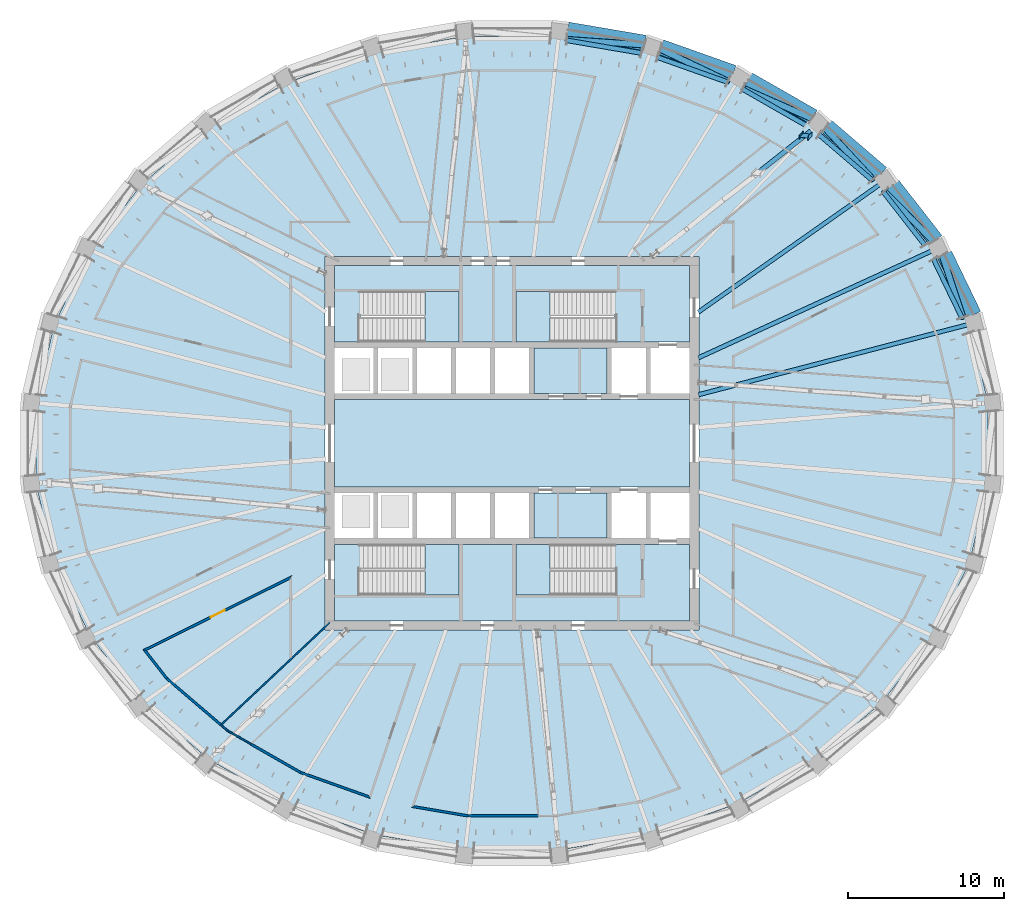
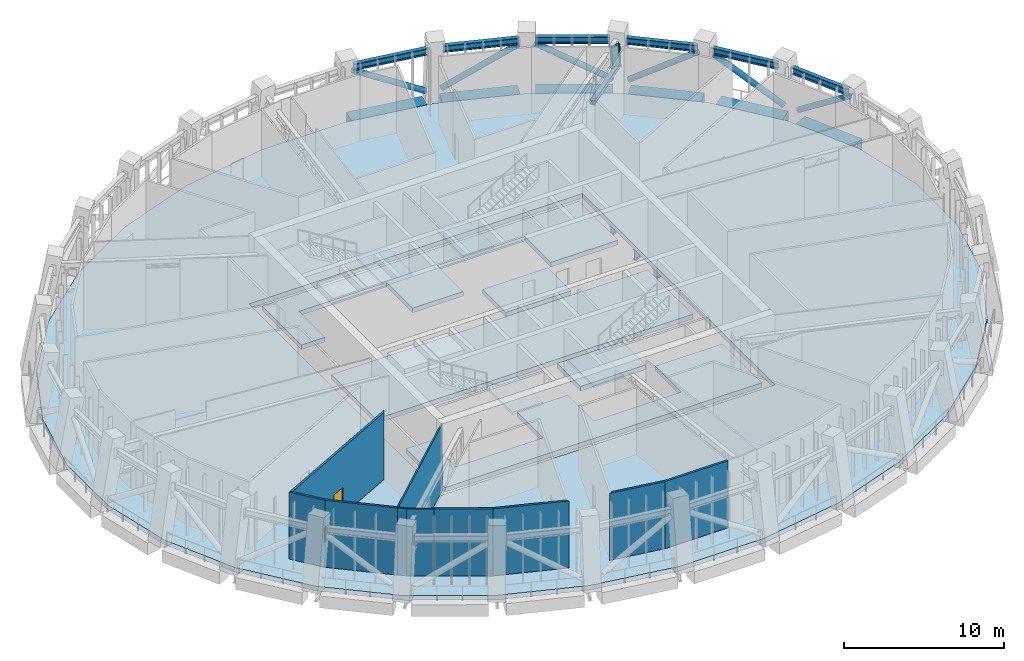
# One storey, part 6 of 20: 14 members, 10 slabs, 10 walls, 9 beams, 1 door, 1 opening, 4 elements without a shape of their own.
"""IFC4 building model written with IfcOpenShell, lengths in metres."""

from ifc_helpers import new_model, si_unit, direction, frame, frame_2d, origin, origin_2d, place, context, subcontext, project, spatial, polyline, rectangle, hollow_circle, i_section, outline, extrude, material, layer, layer_set, material_profile, profile_set, type_object, element, fill, aggregate, save


model = new_model("IFC4")

# Units and contexts
model_context = context("Model", 3, precision=1e-05, world=origin(), true_north=direction((0.0, 1.0)))
body_context = subcontext(model_context, "Body", "Model", "MODEL_VIEW")
ifc_project = project(units=[si_unit("LENGTHUNIT", "METRE"), si_unit("AREAUNIT", "SQUARE_METRE"), si_unit("VOLUMEUNIT", "CUBIC_METRE"), si_unit("PLANEANGLEUNIT", "RADIAN"), si_unit("MASSUNIT", "GRAM", prefix="KILO")], contexts=[model_context])

# Site, building, storey
site_placement = place(None, origin())
site = spatial("IfcSite", under=ifc_project, at=site_placement, CompositionType="ELEMENT")
building_placement = place(site_placement, origin())
building = spatial("IfcBuilding", under=site, at=building_placement, Name="Halqa Exchange Tower", CompositionType="ELEMENT")
storey_placement = place(building_placement, frame((0.0, 0.0, 250.89990234375)))
storey = spatial("IfcBuildingStorey", under=building, at=storey_placement, Name="L58", CompositionType="ELEMENT", Elevation=250.89990234375)

# Members
ifc_material_1 = material(Name="Steel S355", Category="steel")
ifc_material_profile_1 = material_profile(ifc_material_1, i_section(OverallWidth=0.300048828125, OverallDepth=0.5, WebThickness=0.014404296875, FlangeThickness=0.028076171875, FilletRadius=0.027099609375, at=origin_2d()), Name="HEB 500")
ifc_profile_set_1 = profile_set([ifc_material_profile_1], Name="Steel S355")
member_type_1 = type_object("IfcMemberType", Name="Belt truss chord HEB 500", PredefinedType="CHORD", material=ifc_profile_set_1)
member_1_placement = place(storey_placement, frame((28.884765625, 8.04296875, 4.25), z_axis=(-0.4350908165, 0.90038657331, 0.0), x_axis=(-0.90038657331, -0.4350908165, 0.0)))
element("IfcMember", 1, at=member_1_placement, inside=storey, type_object=member_type_1, Name="Belt chord 2", PredefinedType="CHORD", context=body_context, shape_type="SweptSolid", body=[
    extrude(i_section(OverallWidth=0.300048828125, OverallDepth=0.5, WebThickness=0.014404296875, FlangeThickness=0.028076171875, FilletRadius=0.027099609375, at=origin_2d()), origin(), (0.0, 0.0, 1.0), 4.195068359375),
])
member_2_placement = place(storey_placement, frame((26.5087890625, 12.706298828125, 4.25), z_axis=(-0.61482050044, 0.78866707313, 0.0), x_axis=(-0.78866707313, -0.61482050044, 0.0)))
element("IfcMember", 2, at=member_2_placement, inside=storey, type_object=member_type_1, Name="Belt chord 3", PredefinedType="CHORD", context=body_context, shape_type="SweptSolid", body=[
    extrude(i_section(OverallWidth=0.300048828125, OverallDepth=0.5, WebThickness=0.014404296875, FlangeThickness=0.028076171875, FilletRadius=0.027099609375, at=origin_2d()), origin(), (0.0, 0.0, 1.0), 4.33935546875),
])
member_3_placement = place(storey_placement, frame((23.118896484375, 16.885009765625, 4.25), z_axis=(-0.759271904272, 0.650773520807, 0.0), x_axis=(-0.650773520807, -0.759271904272, 0.0)))
element("IfcMember", 3, at=member_3_placement, inside=storey, type_object=member_type_1, Name="Belt chord 4", PredefinedType="CHORD", context=body_context, shape_type="SweptSolid", body=[
    extrude(i_section(OverallWidth=0.300048828125, OverallDepth=0.5, WebThickness=0.014404296875, FlangeThickness=0.028076171875, FilletRadius=0.027099609375, at=origin_2d()), origin(), (0.0, 0.0, 1.0), 4.5048828125),
])
member_4_placement = place(storey_placement, frame((18.845703125, 20.41845703125, 4.25), z_axis=(-0.867756652631, 0.496989327666, 0.0), x_axis=(-0.496989327666, -0.867756652631, 0.0)))
element("IfcMember", 4, at=member_4_placement, inside=storey, type_object=member_type_1, Name="Belt chord 5", PredefinedType="CHORD", context=body_context, shape_type="SweptSolid", body=[
    extrude(i_section(OverallWidth=0.300048828125, OverallDepth=0.5, WebThickness=0.014404296875, FlangeThickness=0.028076171875, FilletRadius=0.027099609375, at=origin_2d()), origin(), (0.0, 0.0, 1.0), 4.667236328125),
])
member_5_placement = place(storey_placement, frame((13.8466796875, 23.173828125, 4.25), z_axis=(-0.942372371925, 0.334565856944, 0.0), x_axis=(-0.334565856944, -0.942372371925, 0.0)))
element("IfcMember", 5, at=member_5_placement, inside=storey, type_object=member_type_1, Name="Belt chord 6", PredefinedType="CHORD", context=body_context, shape_type="SweptSolid", body=[
    extrude(i_section(OverallWidth=0.300048828125, OverallDepth=0.5, WebThickness=0.014404296875, FlangeThickness=0.028076171875, FilletRadius=0.027099609375, at=origin_2d()), origin(), (0.0, 0.0, 1.0), 4.797119140625),
])
member_6_placement = place(storey_placement, frame((8.314453125, 25.04248046875, 4.25), z_axis=(-0.985775224511, 0.168069053487, 0.0), x_axis=(-0.168069053487, -0.985775224511, 0.0)))
element("IfcMember", 6, at=member_6_placement, inside=storey, type_object=member_type_1, Name="Belt chord 7", PredefinedType="CHORD", context=body_context, shape_type="SweptSolid", body=[
    extrude(i_section(OverallWidth=0.300048828125, OverallDepth=0.5, WebThickness=0.014404296875, FlangeThickness=0.028076171875, FilletRadius=0.027099609375, at=origin_2d()), origin(), (0.0, 0.0, 1.0), 4.88525390625),
])
ifc_material_profile_2 = material_profile(ifc_material_1, hollow_circle(Radius=0.203125, WallThickness=0.02490234375, at=origin_2d()), Name="CHS 406.4x25")
ifc_profile_set_2 = profile_set([ifc_material_profile_2], Name="Steel S355")
member_type_2 = type_object("IfcMemberType", Name="Belt truss diagonal CHS 406.4x25", PredefinedType="BRACE", material=ifc_profile_set_2)
member_7_placement = place(storey_placement, frame((28.9482421875, 8.064453125, 3.87939453125), z_axis=(-0.25799046878, 0.773121821919, -0.579416574229), x_axis=(-0.948579007058, -0.31654046719, 0.0)))
element("IfcMember", 7, at=member_7_placement, inside=storey, type_object=member_type_2, Name="Belt diagonal 2", PredefinedType="BRACE", context=body_context, shape_type="SweptSolid", body=[
    extrude(hollow_circle(Radius=0.203125, WallThickness=0.02490234375, at=origin_2d()), origin(), (0.0, 0.0, 1.0), 5.172607421875),
])
member_8_placement = place(storey_placement, frame((27.0673828125, 12.953857421875, 0.859619140625), z_axis=(-0.583758108215, 0.590249781325, 0.557522794815), x_axis=(-0.711005856478, -0.703186086363, 0.0)))
element("IfcMember", 8, at=member_8_placement, inside=storey, type_object=member_type_2, Name="Belt diagonal 3", PredefinedType="BRACE", context=body_context, shape_type="SweptSolid", body=[
    extrude(hollow_circle(Radius=0.203125, WallThickness=0.02490234375, at=origin_2d()), origin(), (0.0, 0.0, 1.0), 5.453125),
])
member_9_placement = place(storey_placement, frame((23.163330078125, 16.925537109375, 3.898193359375), z_axis=(-0.563415694904, 0.607920724662, -0.559459692259), x_axis=(-0.733444146375, -0.679749721698, 0.0)))
element("IfcMember", 9, at=member_9_placement, inside=storey, type_object=member_type_2, Name="Belt diagonal 4", PredefinedType="BRACE", context=body_context, shape_type="SweptSolid", body=[
    extrude(hollow_circle(Radius=0.203125, WallThickness=0.02490234375, at=origin_2d()), origin(), (0.0, 0.0, 1.0), 5.430908203125),
])
member_10_placement = place(storey_placement, frame((19.253173828125, 20.8330078125, 0.8388671875), z_axis=(-0.772303546077, 0.34041068246, 0.536346716205), x_axis=(-0.403331268283, -0.915054035577, 0.0)))
element("IfcMember", 10, at=member_10_placement, inside=storey, type_object=member_type_2, Name="Belt diagonal 5", PredefinedType="BRACE", context=body_context, shape_type="SweptSolid", body=[
    extrude(hollow_circle(Radius=0.203125, WallThickness=0.02490234375, at=origin_2d()), origin(), (0.0, 0.0, 1.0), 5.740478515625),
])
member_11_placement = place(storey_placement, frame((13.869384765625, 23.22265625, 3.91650390625), z_axis=(-0.761266950959, 0.362284552334, -0.537794135815), x_axis=(-0.429717450535, -0.902963406072, 0.0)))
element("IfcMember", 11, at=member_11_placement, inside=storey, type_object=member_type_2, Name="Belt diagonal 6", PredefinedType="BRACE", context=body_context, shape_type="SweptSolid", body=[
    extrude(hollow_circle(Radius=0.203125, WallThickness=0.02490234375, at=origin_2d()), origin(), (0.0, 0.0, 1.0), 5.721435546875),
])
member_12_placement = place(storey_placement, frame((8.503662109375, 25.5615234375, 0.828125), z_axis=(-0.848471118309, 0.059945203271, 0.525835843206), x_axis=(-0.070475176163, -0.997513533515, 0.0)))
element("IfcMember", 12, at=member_12_placement, inside=storey, type_object=member_type_2, Name="Belt diagonal 7", PredefinedType="BRACE", context=body_context, shape_type="SweptSolid", body=[
    extrude(hollow_circle(Radius=0.203125, WallThickness=0.02490234375, at=origin_2d()), origin(), (0.0, 0.0, 1.0), 5.893310546875),
])

# Beams
ifc_material_profile_3 = material_profile(ifc_material_1, i_section(OverallWidth=0.264892578125, OverallDepth=0.7529296875, WebThickness=0.01318359375, FlangeThickness=0.01708984375, FilletRadius=0.01708984375, at=origin_2d()), Name="IPE 750x147")
ifc_profile_set_3 = profile_set([ifc_material_profile_3], Name="Steel S355")
beam_type_1 = type_object("IfcBeamType", Name="Floor beam IPE 750x147", PredefinedType="BEAM", material=ifc_profile_set_3)
beam_1_placement = place(storey_placement, frame((11.97216796875, 8.421630859375, -0.726318359375), z_axis=(0.817908068869, 0.575348929676, 0.0), x_axis=(-0.575348929676, 0.817908068869, 0.0)))
element("IfcBeam", 13, at=beam_1_placement, inside=storey, type_object=beam_type_1, Name="Radial beam 4", PredefinedType="BEAM", context=body_context, shape_type="SweptSolid", body=[
    extrude(i_section(OverallWidth=0.264892578125, OverallDepth=0.7529296875, WebThickness=0.01318359375, FlangeThickness=0.01708984375, FilletRadius=0.01708984375, at=origin_2d()), origin(), (0.0, 0.0, 1.0), 14.48388671875),
])
ifc_material_profile_4 = material_profile(ifc_material_1, i_section(OverallWidth=0.26806640625, OverallDepth=0.77001953125, WebThickness=0.015625, FlangeThickness=0.025390625, FilletRadius=0.01708984375, at=origin_2d()), Name="IPE 750x196")
ifc_profile_set_4 = profile_set([ifc_material_profile_4], Name="Steel S355")
beam_type_2 = type_object("IfcBeamType", Name="Floor beam IPE 750x196", PredefinedType="BEAM", material=ifc_profile_set_4)
beam_2_placement = place(storey_placement, frame((11.97119140625, 3.112548828125, -0.73486328125), z_axis=(0.967817321114, 0.251653795821, 0.0), x_axis=(-0.251653795821, 0.967817321114, 0.0)))
element("IfcBeam", 14, at=beam_2_placement, inside=storey, type_object=beam_type_2, Name="Radial beam 2", PredefinedType="BEAM", context=body_context, shape_type="SweptSolid", body=[
    extrude(i_section(OverallWidth=0.26806640625, OverallDepth=0.77001953125, WebThickness=0.015625, FlangeThickness=0.025390625, FilletRadius=0.01708984375, at=origin_2d()), origin(), (0.0, 0.0, 1.0), 18.116455078125),
])
beam_3_placement = place(storey_placement, frame((11.97119140625, 5.484619140625, -0.73486328125), z_axis=(0.909127215355, 0.41651855457, 0.0), x_axis=(-0.41651855457, 0.909127215355, 0.0)))
element("IfcBeam", 15, at=beam_3_placement, inside=storey, type_object=beam_type_2, Name="Radial beam 3", PredefinedType="BEAM", context=body_context, shape_type="SweptSolid", body=[
    extrude(i_section(OverallWidth=0.26806640625, OverallDepth=0.77001953125, WebThickness=0.015625, FlangeThickness=0.025390625, FilletRadius=0.01708984375, at=origin_2d()), origin(), (0.0, 0.0, 1.0), 16.732666015625),
])

# Members
ifc_material_profile_5 = material_profile(ifc_material_1, i_section(OverallWidth=0.300048828125, OverallDepth=0.300048828125, WebThickness=0.010986328125, FlangeThickness=0.01904296875, FilletRadius=0.027099609375, at=origin_2d()), Name="HEB 300")
ifc_profile_set_5 = profile_set([ifc_material_profile_5], Name="Steel S355")
member_type_3 = type_object("IfcMemberType", Name="Outrigger opening chord HEB 300", PredefinedType="CHORD", material=ifc_profile_set_5)
member_13_placement = place(storey_placement, frame((15.79443359375, 17.36279296875, 2.35009765625), z_axis=(0.784930415828, 0.619583926767, 0.0), x_axis=(-0.619583926767, 0.784930415828, 0.0)))
element("IfcMember", 16, at=member_13_placement, inside=storey, type_object=member_type_3, Name="Outrigger 2 opening chord", PredefinedType="CHORD", context=body_context, shape_type="SweptSolid", body=[
    extrude(i_section(OverallWidth=0.300048828125, OverallDepth=0.300048828125, WebThickness=0.010986328125, FlangeThickness=0.01904296875, FilletRadius=0.027099609375, at=origin_2d()), origin(), (0.0, 0.0, 1.0), 4.32763671875),
])
ifc_material_profile_6 = material_profile(ifc_material_1, i_section(OverallWidth=0.300048828125, OverallDepth=0.60009765625, WebThickness=0.015380859375, FlangeThickness=0.030029296875, FilletRadius=0.027099609375, at=origin_2d()), Name="HEB 600")
ifc_profile_set_6 = profile_set([ifc_material_profile_6], Name="Steel S355")
member_type_4 = type_object("IfcMemberType", Name="Outrigger post HEB 600", PredefinedType="POST", material=ifc_profile_set_6)
member_14_placement = place(storey_placement, frame((18.95751953125, 19.858154296875, 2.35009765625), z_axis=(-0.115765737302, -0.120931753977, 0.985887318585), x_axis=(0.083686070954, 0.987844142188, 0.130998443779)))
element("IfcMember", 17, at=member_14_placement, inside=storey, type_object=member_type_4, Name="Outrigger 2 post", PredefinedType="POST", context=body_context, shape_type="SweptSolid", body=[
    extrude(i_section(OverallWidth=0.300048828125, OverallDepth=0.60009765625, WebThickness=0.015380859375, FlangeThickness=0.030029296875, FilletRadius=0.027099609375, at=origin_2d()), origin(), (0.0, 0.0, 1.0), 2.079345703125),
])

# Beams
ifc_material_2 = material(Name="Concrete C60/75", Category="concrete")
ifc_material_profile_7 = material_profile(ifc_material_2, rectangle(XDim=1.0, YDim=0.89990234375, at=origin_2d()), Name="1000 x 900")
ifc_profile_set_7 = profile_set([ifc_material_profile_7], Name="Concrete C60/75")
beam_type_3 = type_object("IfcBeamType", Name="RC spandrel beam 1000 x 900 C60/75", PredefinedType="SPANDREL", material=ifc_profile_set_7)
beam_4_placement = place(storey_placement, frame((29.63818359375, 8.238525390625, -0.449951171875), z_axis=(-0.435106956981, 0.900378773621, 0.0), x_axis=(-0.900378773621, -0.435106956981, 0.0)))
element("IfcBeam", 18, at=beam_4_placement, inside=storey, type_object=beam_type_3, Name="Spandrel 2", PredefinedType="SPANDREL", context=body_context, shape_type="SweptSolid", body=[
    extrude(rectangle(XDim=1.0, YDim=0.89990234375, at=origin_2d()), origin(), (0.0, 0.0, 1.0), 4.330078125),
])
beam_5_placement = place(storey_placement, frame((27.20263671875, 13.024658203125, -0.449951171875), z_axis=(-0.614827074471, 0.788661948174, 0.0), x_axis=(-0.788661948174, -0.614827074471, 0.0)))
element("IfcBeam", 19, at=beam_5_placement, inside=storey, type_object=beam_type_3, Name="Spandrel 3", PredefinedType="SPANDREL", context=body_context, shape_type="SweptSolid", body=[
    extrude(rectangle(XDim=1.0, YDim=0.89990234375, at=origin_2d()), origin(), (0.0, 0.0, 1.0), 4.478759765625),
])
beam_6_placement = place(storey_placement, frame((23.72802734375, 17.312255859375, -0.449951171875), z_axis=(-0.759267722395, 0.650778399864, 0.0), x_axis=(-0.650778399864, -0.759267722395, 0.0)))
element("IfcBeam", 20, at=beam_6_placement, inside=storey, type_object=beam_type_3, Name="Spandrel 4", PredefinedType="SPANDREL", context=body_context, shape_type="SweptSolid", body=[
    extrude(rectangle(XDim=1.0, YDim=0.89990234375, at=origin_2d()), origin(), (0.0, 0.0, 1.0), 4.649169921875),
])
beam_7_placement = place(storey_placement, frame((19.345458984375, 20.939697265625, -0.449951171875), z_axis=(-0.8677465318, 0.497006998491, 0.0), x_axis=(-0.497006998491, -0.8677465318, 0.0)))
element("IfcBeam", 21, at=beam_7_placement, inside=storey, type_object=beam_type_3, Name="Spandrel 5", PredefinedType="SPANDREL", context=body_context, shape_type="SweptSolid", body=[
    extrude(rectangle(XDim=1.0, YDim=0.89990234375, at=origin_2d()), origin(), (0.0, 0.0, 1.0), 4.814453125),
])
beam_8_placement = place(storey_placement, frame((14.218994140625, 23.768310546875, -0.449951171875), z_axis=(-0.94237407927, 0.334561047822, 0.0), x_axis=(-0.334561047822, -0.94237407927, 0.0)))
element("IfcBeam", 22, at=beam_8_placement, inside=storey, type_object=beam_type_3, Name="Spandrel 6", PredefinedType="SPANDREL", context=body_context, shape_type="SweptSolid", body=[
    extrude(rectangle(XDim=1.0, YDim=0.89990234375, at=origin_2d()), origin(), (0.0, 0.0, 1.0), 4.94970703125),
])
beam_9_placement = place(storey_placement, frame((8.543212890625, 25.68798828125, -0.449951171875), z_axis=(-0.985775605401, 0.16806681944, 0.0), x_axis=(-0.16806681944, -0.985775605401, 0.0)))
element("IfcBeam", 23, at=beam_9_placement, inside=storey, type_object=beam_type_3, Name="Spandrel 7", PredefinedType="SPANDREL", context=body_context, shape_type="SweptSolid", body=[
    extrude(rectangle(XDim=1.0, YDim=0.89990234375, at=origin_2d()), origin(), (0.0, 0.0, 1.0), 5.039306640625),
])

# Slabs
ifc_layer_1 = layer(ifc_material_2, 0.35009765625)
ifc_layer_set_1 = layer_set([ifc_layer_1], Name="Concrete C60/75")
slab_type_1 = type_object("IfcSlabType", Name="Core floor slab 350", PredefinedType="FLOOR", material=ifc_layer_set_1)
slab_1_placement = place(storey_placement, frame((0.0, 0.0, -0.349853515625)))
element("IfcSlab", 24, at=slab_1_placement, inside=storey, type_object=slab_type_1, Name="Core floor slab", PredefinedType="FLOOR", context=body_context, shape_type="SweptSolid", body=[
    extrude(outline(polyline([(-11.39990234375, 2.800048828125), (11.39990234375, 2.800048828125), (11.39990234375, -2.800048828125), (-11.39990234375, -2.800048828125), (-11.39990234375, 2.800048828125)])), origin(), (0.0, 0.0, 1.0), 0.349853515625),
])
slab_2_placement = place(storey_placement, frame((0.0, 0.0, -0.349853515625)))
element("IfcSlab", 25, at=slab_2_placement, inside=storey, type_object=slab_type_1, Name="Core floor slab", PredefinedType="FLOOR", context=body_context, shape_type="SweptSolid", body=[
    extrude(outline(polyline([(-11.39990234375, 11.39990234375), (11.39990234375, 11.39990234375), (11.39990234375, 6.5), (6.550048828125, 6.5), (6.550048828125, 9.75), (0.25, 9.75), (0.25, 6.5), (-3.39990234375, 6.5), (-3.39990234375, 9.75), (-9.699951171875, 9.75), (-9.699951171875, 6.5), (-11.39990234375, 6.5), (-11.39990234375, 11.39990234375)])), origin(), (0.0, 0.0, 1.0), 0.349853515625),
])
slab_3_placement = place(storey_placement, frame((0.0, 0.0, -0.349853515625)))
element("IfcSlab", 26, at=slab_3_placement, inside=storey, type_object=slab_type_1, Name="Core floor slab", PredefinedType="FLOOR", context=body_context, shape_type="SweptSolid", body=[
    extrude(outline(polyline([(-9.699951171875, -9.75), (-3.39990234375, -9.75), (-3.39990234375, -6.5), (0.25, -6.5), (0.25, -9.75), (6.550048828125, -9.75), (6.550048828125, -6.5), (11.39990234375, -6.5), (11.39990234375, -11.39990234375), (-11.39990234375, -11.39990234375), (-11.39990234375, -6.5), (-9.699951171875, -6.5), (-9.699951171875, -9.75)])), origin(), (0.0, 0.0, 1.0), 0.349853515625),
])
slab_4_placement = place(storey_placement, frame((0.0, 0.0, -0.349853515625)))
element("IfcSlab", 27, at=slab_4_placement, inside=storey, type_object=slab_type_1, Name="Core floor slab", PredefinedType="FLOOR", context=body_context, shape_type="SweptSolid", body=[
    extrude(outline(polyline([(6.10009765625, -3.199951171875), (6.10009765625, -6.10009765625), (1.39990234375, -6.10009765625), (1.39990234375, -3.199951171875), (6.10009765625, -3.199951171875)])), origin(), (0.0, 0.0, 1.0), 0.349853515625),
])
slab_5_placement = place(storey_placement, frame((0.0, 0.0, -0.349853515625)))
element("IfcSlab", 28, at=slab_5_placement, inside=storey, type_object=slab_type_1, Name="Core floor slab", PredefinedType="FLOOR", context=body_context, shape_type="SweptSolid", body=[
    extrude(outline(polyline([(6.10009765625, 6.10009765625), (6.10009765625, 3.199951171875), (1.39990234375, 3.199951171875), (1.39990234375, 6.10009765625), (6.10009765625, 6.10009765625)])), origin(), (0.0, 0.0, 1.0), 0.349853515625),
])
ifc_material_3 = material(Name="Concrete C40/50", Category="concrete")
ifc_layer_2 = layer(ifc_material_3, 0.35009765625)
ifc_layer_set_2 = layer_set([ifc_layer_2], Name="Concrete C40/50")
slab_type_2 = type_object("IfcSlabType", Name="RC floor slab 350", PredefinedType="FLOOR", material=ifc_layer_set_2)
slab_6_placement = place(storey_placement, frame((0.0, 0.0, -0.349853515625)))
element("IfcSlab", 29, at=slab_6_placement, inside=storey, type_object=slab_type_2, Name="Floor slab", PredefinedType="FLOOR", context=body_context, shape_type="SweptSolid", body=[
    extrude(outline(polyline([(30.560302734375, 2.564697265625), (30.560302734375, -2.564697265625), (29.39208984375, -7.598388671875), (27.09814453125, -12.34521484375), (23.762451171875, -16.624267578125), (19.51025390625, -20.26904296875), (14.5029296875, -23.136962890625), (8.933349609375, -25.114501953125), (3.016845703125, -26.123046875), (-3.016845703125, -26.123046875), (-8.933349609375, -25.114501953125), (-14.5029296875, -23.136962890625), (-19.51025390625, -20.26904296875), (-23.762451171875, -16.624267578125), (-27.09814453125, -12.34521484375), (-29.39208984375, -7.598388671875), (-30.560302734375, -2.564697265625), (-30.560302734375, 2.564697265625), (-29.39208984375, 7.598388671875), (-27.09814453125, 12.34521484375), (-23.762451171875, 16.624267578125), (-19.51025390625, 20.26904296875), (-14.5029296875, 23.136962890625), (-8.933349609375, 25.114501953125), (-3.016845703125, 26.123046875), (3.016845703125, 26.123046875), (8.933349609375, 25.114501953125), (14.5029296875, 23.136962890625), (19.51025390625, 20.26904296875), (23.762451171875, 16.624267578125), (27.09814453125, 12.34521484375), (29.39208984375, 7.598388671875), (30.560302734375, 2.564697265625)]), holes=[polyline([(-12.0, -12.0), (12.0, -12.0), (12.0, 12.0), (-12.0, 12.0), (-12.0, -12.0)])]), origin(), (0.0, 0.0, 1.0), 0.349853515625),
])

# Stair, slab
ifc_material_4 = material(Name="Concrete C30/37", Category="concrete")
stair_type = type_object("IfcStairType", Name="Exit stair 1500 wide", PredefinedType="HALF_TURN_STAIR", material=ifc_material_4)
stair_1_placement = place(storey_placement, origin())
stair_1 = element("IfcStair", 30, at=stair_1_placement, inside=storey, type_object=stair_type, Name="Exit stair ST1", PredefinedType="HALF_TURN_STAIR")
ifc_layer_3 = layer(ifc_material_4, 0.199951171875)
ifc_layer_set_3 = layer_set([ifc_layer_3], Name="Concrete C30/37")
slab_type_3 = type_object("IfcSlabType", Name="Stair landing 200 slab", PredefinedType="LANDING", material=ifc_layer_set_3)
slab_7_placement = place(storey_placement, frame((0.0, 0.0, 2.5)))
slab_7 = element("IfcSlab", 31, at=slab_7_placement, type_object=slab_type_3, Name="ST1 landing 1", PredefinedType="LANDING", context=body_context, shape_type="SweptSolid", body=[
    extrude(outline(polyline([(-5.60009765625, 6.5), (-3.39990234375, 6.5), (-3.39990234375, 9.75), (-5.60009765625, 9.75), (-5.60009765625, 6.5)])), origin(), (0.0, 0.0, 1.0), 0.2001953125),
])
aggregate(stair_1, [slab_7])

stair_2_placement = place(storey_placement, origin())
stair_2 = element("IfcStair", 32, at=stair_2_placement, inside=storey, type_object=stair_type, Name="Exit stair ST2", PredefinedType="HALF_TURN_STAIR")
slab_8_placement = place(storey_placement, frame((0.0, 0.0, 2.5)))
slab_8 = element("IfcSlab", 33, at=slab_8_placement, type_object=slab_type_3, Name="ST2 landing 1", PredefinedType="LANDING", context=body_context, shape_type="SweptSolid", body=[
    extrude(outline(polyline([(0.25, 6.5), (2.449951171875, 6.5), (2.449951171875, 9.75), (0.25, 9.75), (0.25, 6.5)])), origin(), (0.0, 0.0, 1.0), 0.2001953125),
])
aggregate(stair_2, [slab_8])

stair_3_placement = place(storey_placement, origin())
stair_3 = element("IfcStair", 34, at=stair_3_placement, inside=storey, type_object=stair_type, Name="Exit stair ST3", PredefinedType="HALF_TURN_STAIR")
slab_9_placement = place(storey_placement, frame((0.0, 0.0, 2.5)))
slab_9 = element("IfcSlab", 35, at=slab_9_placement, type_object=slab_type_3, Name="ST3 landing 1", PredefinedType="LANDING", context=body_context, shape_type="SweptSolid", body=[
    extrude(outline(polyline([(-5.60009765625, -9.75), (-3.39990234375, -9.75), (-3.39990234375, -6.5), (-5.60009765625, -6.5), (-5.60009765625, -9.75)])), origin(), (0.0, 0.0, 1.0), 0.2001953125),
])
aggregate(stair_3, [slab_9])

stair_4_placement = place(storey_placement, origin())
stair_4 = element("IfcStair", 36, at=stair_4_placement, inside=storey, type_object=stair_type, Name="Exit stair ST4", PredefinedType="HALF_TURN_STAIR")
slab_10_placement = place(storey_placement, frame((0.0, 0.0, 2.5)))
slab_10 = element("IfcSlab", 37, at=slab_10_placement, type_object=slab_type_3, Name="ST4 landing 1", PredefinedType="LANDING", context=body_context, shape_type="SweptSolid", body=[
    extrude(outline(polyline([(0.25, -9.75), (2.449951171875, -9.75), (2.449951171875, -6.5), (0.25, -6.5), (0.25, -9.75)])), origin(), (0.0, 0.0, 1.0), 0.2001953125),
])
aggregate(stair_4, [slab_10])

# Walls
ifc_material_5 = material(Name="Fire-rated gypsum board")
ifc_layer_4 = layer(ifc_material_5, 0.14990234375)
ifc_layer_set_4 = layer_set([ifc_layer_4], Name="Fire-rated gypsum board")
wall_type_1 = type_object("IfcWallType", Name="Fire partition EI 60 150", PredefinedType="PARTITIONING", material=ifc_layer_set_4)
wall_1_placement = place(storey_placement, frame((-23.636474609375, -13.20751953125, 0.0), z_axis=(0.0, 0.0, 1.0), x_axis=(0.615077188246, -0.788466900066, 0.0)))
element("IfcWall", 38, at=wall_1_placement, inside=storey, type_object=wall_type_1, Name="L58-PWL-013", PredefinedType="PARTITIONING", context=body_context, shape_type="SweptSolid", body=[
    extrude(outline(polyline([(2.40771484375, -0.074951171875), (2.40771484375, -0.07373046875), (2.392822265625, 0.074951171875), (0.183837890625, 0.074951171875), (0.000244140625, -0.074951171875), (2.40771484375, -0.074951171875)])), origin(), (0.0, 0.0, 1.0), 5.10009765625),
])
wall_2_placement = place(storey_placement, frame((-22.165771484375, -15.09521484375, 0.0), z_axis=(0.0, 0.0, 1.0), x_axis=(0.759579459862, -0.650414517178, 0.0)))
element("IfcWall", 39, at=wall_2_placement, inside=storey, type_object=wall_type_1, Name="L58-PWL-016", PredefinedType="PARTITIONING", context=body_context, shape_type="SweptSolid", body=[
    extrude(outline(polyline([(4.589111328125, 0.074951171875), (3.064453125, 0.074951171875), (1.539794921875, 0.074951171875), (0.014892578125, 0.074951171875), (0.0, -0.074462890625), (0.0, -0.074951171875), (1.52978515625, -0.074951171875), (3.059326171875, -0.074951171875), (4.589111328125, -0.074951171875), (4.589111328125, 0.074951171875)])), origin(), (0.0, 0.0, 1.0), 5.10009765625),
])
wall_3_placement = place(storey_placement, frame((-16.760009765625, -19.31005859375, 0.0), z_axis=(0.0, 0.0, 1.0), x_axis=(0.867915509179, -0.496711857043, 0.0)))
element("IfcWall", 40, at=wall_3_placement, inside=storey, type_object=wall_type_1, Name="L58-PWL-024", PredefinedType="PARTITIONING", context=body_context, shape_type="SweptSolid", body=[
    extrude(outline(polyline([(0.0, -0.074951171875), (1.835205078125, -0.074951171875), (3.670654296875, -0.074951171875), (3.6572265625, 0.074951171875), (1.82861328125, 0.074951171875), (0.0, 0.074951171875), (0.0, -0.074951171875)])), origin(), (0.0, 0.0, 1.0), 5.10009765625),
])

# Wall, opening, door
wall_4_placement = place(storey_placement, frame((-14.091552734375, -8.566162109375, 0.0), z_axis=(0.0, 0.0, 1.0), x_axis=(-0.89557562224, -0.444909322053, 0.0)))
wall_4 = element("IfcWall", 41, at=wall_4_placement, inside=storey, type_object=wall_type_1, Name="L58-PWL-029", PredefinedType="PARTITIONING", context=body_context, shape_type="SweptSolid", body=[
    extrude(outline(polyline([(10.686767578125, -0.074951171875), (10.686767578125, -0.074951171875), (10.503173828125, 0.074951171875), (8.79296875, 0.074951171875), (7.082763671875, 0.074951171875), (5.37255859375, 0.074951171875), (3.662353515625, 0.074951171875), (1.9521484375, 0.074951171875), (0.241943359375, 0.074951171875), (0.000244140625, -0.074951171875), (1.78125, -0.074951171875), (3.5625, -0.074951171875), (5.343505859375, -0.074951171875), (7.12451171875, -0.074951171875), (8.90576171875, -0.074951171875), (10.686767578125, -0.074951171875)])), origin(), (0.0, 0.0, 1.0), 5.10009765625),
])
opening_placement = place(wall_4_placement, frame((4.85791015625, 0.0, 0.0)))
opening = element("IfcOpeningElement", 42, at=opening_placement, cuts=wall_4, Name="Opening L58-02", PredefinedType="OPENING", context=body_context, shape_type="SweptSolid", body=[
    extrude(rectangle(XDim=1.0, YDim=2.10009765625, at=frame_2d((0.5, 1.050048828125))), frame((0.0, 0.0869140625, 0.0), z_axis=(0.0, -1.0, 0.0), x_axis=(1.0, 0.0, 0.0)), (0.0, 0.0, 1.0), 0.173828125),
])
ifc_material_6 = material(Name="Steel fire door leaf", Category="steel")
door_type = type_object("IfcDoorType", Name="Fire door FD30S 1000 x 2100", OperationType="SINGLE_SWING_LEFT", PredefinedType="DOOR", material=ifc_material_6)
door_placement = place(opening_placement, origin())
door = element("IfcDoor", 43, at=door_placement, inside=storey, type_object=door_type, Name="L58-IDR-002", OperationType="SINGLE_SWING_RIGHT", OverallHeight=2.10009765625, OverallWidth=1.0, PredefinedType="DOOR", context=body_context, shape_type="SweptSolid", body=[
    extrude(rectangle(XDim=1.0, YDim=2.10009765625, at=frame_2d((0.5, 1.050048828125))), frame((0.0, 0.02490234375, 0.0), z_axis=(0.0, -1.0, 0.0), x_axis=(1.0, 0.0, 0.0)), (0.0, 0.0, 1.0), 0.050048828125),
])
fill(opening, door)

# Walls
wall_5_placement = place(storey_placement, frame((-13.586181640625, -21.127685546875, 0.0), z_axis=(0.0, 0.0, 1.0), x_axis=(0.941927496084, -0.335816307109, 0.0)))
element("IfcWall", 44, at=wall_5_placement, inside=storey, type_object=wall_type_1, Name="L58-PWL-034", PredefinedType="PARTITIONING", context=body_context, shape_type="SweptSolid", body=[
    extrude(outline(polyline([(4.81787109375, -0.074951171875), (4.81787109375, -0.074951171875), (4.6650390625, 0.074951171875), (3.114501953125, 0.074951171875), (1.56396484375, 0.074951171875), (0.01318359375, 0.074951171875), (0.0, -0.074462890625), (0.0, -0.074951171875), (1.60595703125, -0.074951171875), (3.2119140625, -0.074951171875), (4.81787109375, -0.074951171875)])), origin(), (0.0, 0.0, 1.0), 5.10009765625),
])
wall_6_placement = place(storey_placement, frame((-6.45654296875, -23.305419921875, 0.0), z_axis=(0.0, 0.0, 1.0), x_axis=(0.985938927693, -0.16710604675, 0.0)))
element("IfcWall", 45, at=wall_6_placement, inside=storey, type_object=wall_type_1, Name="L58-PWL-040", PredefinedType="PARTITIONING", context=body_context, shape_type="SweptSolid", body=[
    extrude(outline(polyline([(0.0, -0.074951171875), (1.84228515625, -0.074951171875), (3.6845703125, -0.074951171875), (3.671875, 0.074951171875), (1.923583984375, 0.074951171875), (0.17529296875, 0.074951171875), (0.0, -0.074951171875), (0.0, -0.074951171875)])), origin(), (0.0, 0.0, 1.0), 5.10009765625),
])
wall_7_placement = place(storey_placement, frame((-2.836181640625, -23.919921875, 0.0), z_axis=(0.0, 0.0, 1.0), x_axis=(1.0, 0.0, 0.0)))
element("IfcWall", 46, at=wall_7_placement, inside=storey, type_object=wall_type_1, Name="L58-PWL-046", PredefinedType="PARTITIONING", context=body_context, shape_type="SweptSolid", body=[
    extrude(outline(polyline([(4.526123046875, 0.074951171875), (3.021484375, 0.074951171875), (1.51708984375, 0.074951171875), (0.012451171875, 0.074951171875), (0.0, -0.073486328125), (0.0, -0.074951171875), (1.5087890625, -0.074951171875), (3.017333984375, -0.074951171875), (4.526123046875, -0.074951171875), (4.526123046875, 0.074951171875)])), origin(), (0.0, 0.0, 1.0), 5.10009765625),
])
ifc_material_7 = material(Name="Gypsum board")
ifc_layer_5 = layer(ifc_material_7, 0.10009765625)
ifc_layer_set_5 = layer_set([ifc_layer_5], Name="Gypsum board")
wall_type_2 = type_object("IfcWallType", Name="Partition 100 gypsum", PredefinedType="PARTITIONING", material=ifc_layer_set_5)
wall_8_placement = place(storey_placement, frame((-18.679931640625, -18.080078125, 0.0), z_axis=(0.0, 0.0, 1.0), x_axis=(0.756869836798, -0.653565643333, 0.0)))
element("IfcWall", 47, at=wall_8_placement, inside=storey, type_object=wall_type_2, Name="L58-PWL-020", PredefinedType="PARTITIONING", context=body_context, shape_type="SweptSolid", body=[
    extrude(outline(polyline([(0.0, -0.050048828125), (0.586181640625, -0.050048828125), (0.576416015625, 0.050048828125), (0.0, 0.050048828125), (0.0, -0.050048828125)])), origin(), (0.0, 0.0, 1.0), 5.10009765625),
])
wall_9_placement = place(storey_placement, frame((-18.6396484375, -18.0419921875, 0.0), z_axis=(0.0, 0.0, 1.0), x_axis=(0.728698028808, 0.684835150099, 0.0)))
element("IfcWall", 48, at=wall_9_placement, inside=storey, type_object=wall_type_2, Name="L58-PWL-021", PredefinedType="PARTITIONING", context=body_context, shape_type="SweptSolid", body=[
    extrude(outline(polyline([(9.5234375, 0.050048828125), (7.883056640625, 0.050048828125), (6.242431640625, 0.050048828125), (6.2412109375, 0.048583984375), (6.239501953125, 0.050048828125), (4.683349609375, 0.050048828125), (3.126953125, 0.050048828125), (1.57080078125, 0.050048828125), (0.0146484375, 0.050048828125), (0.01904296875, 0.008056640625), (0.0, 0.005859375), (0.0, -0.0498046875), (0.0, -0.050048828125), (1.90478515625, -0.050048828125), (3.809326171875, -0.050048828125), (5.714111328125, -0.050048828125), (7.61865234375, -0.050048828125), (9.5234375, -0.050048828125), (9.5234375, 0.050048828125)])), origin(), (0.0, 0.0, 1.0), 5.10009765625),
])
wall_10_placement = place(storey_placement, frame((-18.244140625, -18.45751953125, 0.0), z_axis=(0.0, 0.0, 1.0), x_axis=(0.867117340005, -0.498103923556, 0.0)))
element("IfcWall", 49, at=wall_10_placement, inside=storey, type_object=wall_type_2, Name="L58-PWL-022", PredefinedType="PARTITIONING", context=body_context, shape_type="SweptSolid", body=[
    extrude(outline(polyline([(1.711669921875, 0.050048828125), (0.009521484375, 0.050048828125), (0.0, -0.050048828125), (1.711669921875, -0.050048828125), (1.711669921875, 0.050048828125)])), origin(), (0.0, 0.0, 1.0), 5.10009765625),
])

save(model, "model.ifc")
